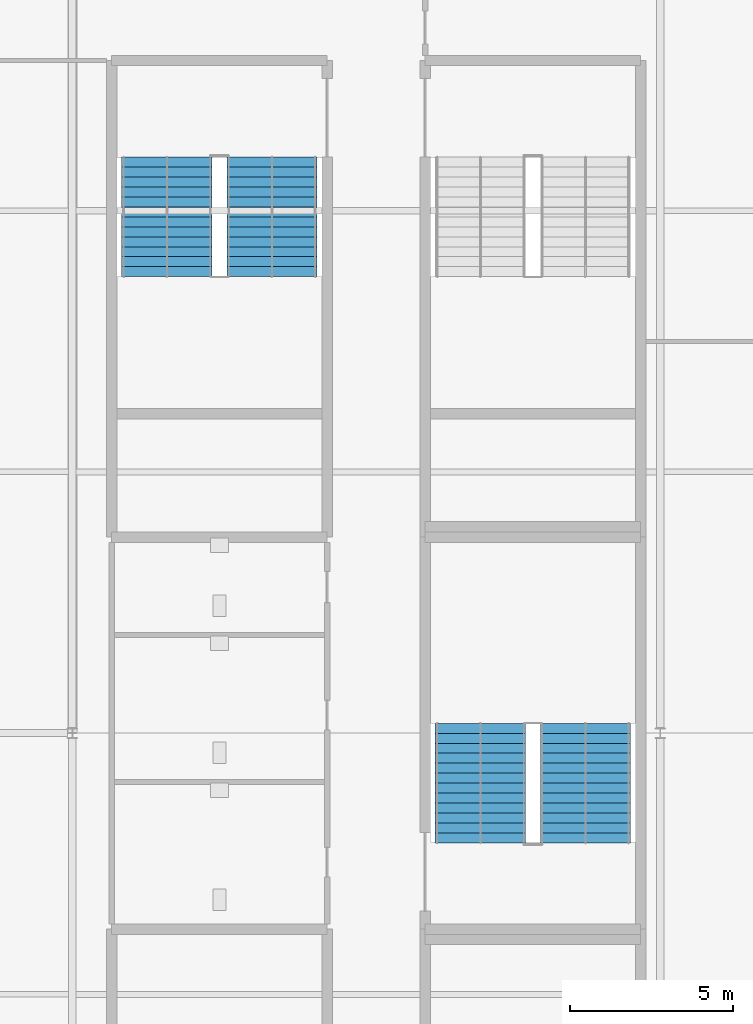
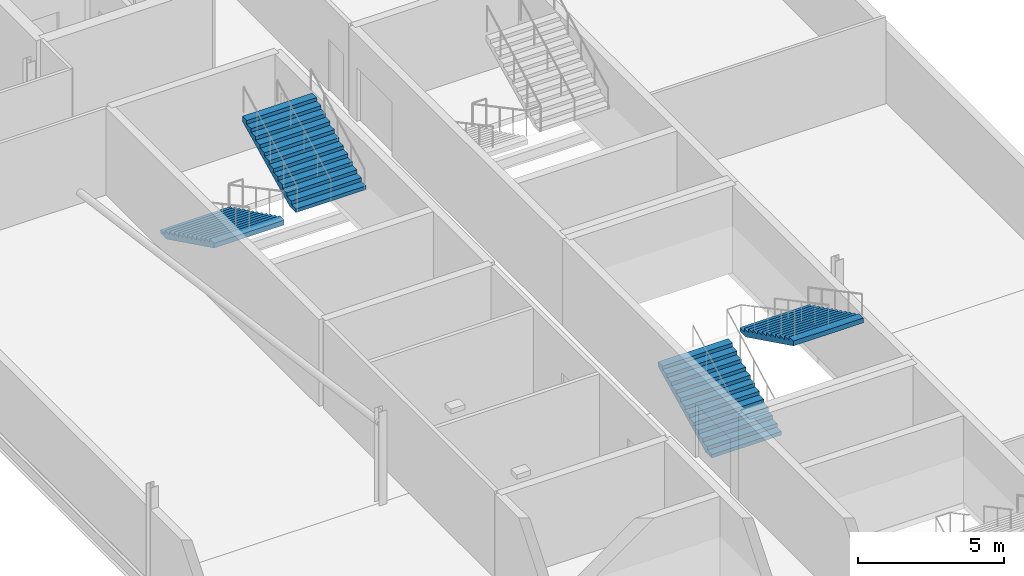
# One storey, part 23 of 31: 4 stair flights, 2 elements without a shape of their own.
"""IFC4 building model written with IfcOpenShell, lengths in metres."""

from ifc_helpers import new_model, si_unit, direction, frame, origin, place, context, subcontext, project, spatial, polygons, material, type_object, element, aggregate, save


model = new_model("IFC4")

# Units and contexts
model_context = context("Model", 3, precision=1e-05, world=origin(), true_north=direction((0.0, 1.0)))
body_context = subcontext(model_context, "Body", "Model", "MODEL_VIEW")
ifc_project = project(units=[si_unit("LENGTHUNIT", "METRE"), si_unit("AREAUNIT", "SQUARE_METRE"), si_unit("VOLUMEUNIT", "CUBIC_METRE"), si_unit("PLANEANGLEUNIT", "RADIAN"), si_unit("MASSUNIT", "GRAM", prefix="KILO")], contexts=[model_context])

# Site, building, storey
site_placement = place(None, origin())
site = spatial("IfcSite", under=ifc_project, at=site_placement, CompositionType="ELEMENT")
building_placement = place(site_placement, origin())
building = spatial("IfcBuilding", under=site, at=building_placement, Name="Kisiwana Market Hall", CompositionType="ELEMENT")
storey_placement = place(building_placement, frame((0.0, 0.0, 45.60009765625)))
storey = spatial("IfcBuildingStorey", under=building, at=storey_placement, Name="L10", CompositionType="ELEMENT", Elevation=45.60009765625)

# Stair, stair flights
ifc_material_1 = material(Name="Concrete C32/40", Category="concrete")
stair_type = type_object("IfcStairType", Name="ST-ESC-3900", PredefinedType="TWO_STRAIGHT_RUN_STAIR", material=ifc_material_1)
stair_1_placement = place(storey_placement, origin())
stair_1 = element("IfcStair", 1, at=stair_1_placement, inside=storey, type_object=stair_type, Name="Escape stair ST-W4-L10", PredefinedType="TWO_STRAIGHT_RUN_STAIR")
ifc_material_2 = material(Name="Concrete C32/40", Category="concrete")
stair_flight_type = type_object("IfcStairFlightType", Name="SF-ESC-3900", PredefinedType="STRAIGHT", material=ifc_material_2)
stair_flight_1_placement = place(storey_placement, frame((11.889892578125, 77.639892578125, 0.0), z_axis=(0.0, 0.0, 1.0), x_axis=(0.0, -1.0, 0.0)))
stair_flight_1 = element("IfcStairFlight", 2, at=stair_flight_1_placement, type_object=stair_flight_type, Name="ST-W4-L10 flight 1", NumberOfRisers=13, NumberOfTreads=12, PredefinedType="STRAIGHT", RiserHeight=0.15, TreadLength=0.305, context=body_context, shape_type="Tessellation", body=[
    polygons([(0.0, -1.380127, 0.0), (0.0, -0.690125, 0.0), (0.0, -0.000122, 0.0), (0.0, 0.68988, 0.0), (0.0, 1.379883, 0.0), (0.0, -1.380127, 0.149902), (0.0, -0.690125, 0.149902), (0.0, -0.000122, 0.149902), (0.0, 0.68988, 0.149902), (0.0, 1.379883, 0.149902), (0.304932, -1.380127, 0.149902), (0.304932, -0.690125, 0.149902), (0.304932, -0.000122, 0.149902), (0.304932, 0.68988, 0.149902), (0.304932, 1.379883, 0.149902), (0.304932, -1.380127, 0.300049), (0.304932, -0.690125, 0.300049), (0.304932, -0.000122, 0.300049), (0.304932, 0.68988, 0.300049), (0.304932, 1.379883, 0.300049), (0.610107, -1.380127, 0.300049), (0.610107, -0.690125, 0.300049), (0.610107, -0.000122, 0.300049), (0.610107, 0.68988, 0.300049), (0.610107, 1.379883, 0.300049), (0.610107, -1.380127, 0.449951), (0.610107, -0.690125, 0.449951), (0.610107, -0.000122, 0.449951), (0.610107, 0.68988, 0.449951), (0.610107, 1.379883, 0.449951), (0.915039, -1.380127, 0.449951), (0.915039, -0.690125, 0.449951), (0.915039, -0.000122, 0.449951), (0.915039, 0.68988, 0.449951), (0.915039, 1.379883, 0.449951), (0.915039, -1.380127, 0.600098), (0.915039, -0.690125, 0.600098), (0.915039, -0.000122, 0.600098), (0.915039, 0.68988, 0.600098), (0.915039, 1.379883, 0.600098), (1.219971, -1.380127, 0.600098), (1.219971, -0.690125, 0.600098), (1.219971, -0.000122, 0.600098), (1.219971, 0.68988, 0.600098), (1.219971, 1.379883, 0.600098), (1.219971, -1.380127, 0.75), (1.219971, -0.690125, 0.75), (1.219971, -0.000122, 0.75), (1.219971, 0.68988, 0.75), (1.219971, 1.379883, 0.75), (1.524902, -1.380127, 0.75), (1.524902, -0.690125, 0.75), (1.524902, -0.000122, 0.75), (1.524902, 0.68988, 0.75), (1.524902, 1.379883, 0.75), (1.524902, -1.380127, 0.899902), (1.524902, -0.690125, 0.899902), (1.524902, -0.000122, 0.899902), (1.524902, 0.68988, 0.899902), (1.524902, 1.379883, 0.899902), (1.830078, -1.380127, 0.899902), (1.830078, -0.690125, 0.899902), (1.830078, -0.000122, 0.899902), (1.830078, 0.68988, 0.899902), (1.830078, 1.379883, 0.899902), (1.830078, -1.380127, 1.050049), (1.830078, -0.690125, 1.050049), (1.830078, -0.000122, 1.050049), (1.830078, 0.68988, 1.050049), (1.830078, 1.379883, 1.050049), (2.13501, -1.380127, 1.050049), (2.13501, -0.690125, 1.050049), (2.13501, -0.000122, 1.050049), (2.13501, 0.68988, 1.050049), (2.13501, 1.379883, 1.050049), (2.13501, -1.380127, 1.199951), (2.13501, -0.690125, 1.199951), (2.13501, -0.000122, 1.199951), (2.13501, 0.68988, 1.199951), (2.13501, 1.379883, 1.199951), (2.439941, -1.380127, 1.199951), (2.439941, -0.690125, 1.199951), (2.439941, -0.000122, 1.199951), (2.439941, 0.68988, 1.199951), (2.439941, 1.379883, 1.199951), (2.439941, -1.380127, 1.350098), (2.439941, -0.690125, 1.350098), (2.439941, -0.000122, 1.350098), (2.439941, 0.68988, 1.350098), (2.439941, 1.379883, 1.350098), (2.745117, -1.380127, 1.350098), (2.745117, -0.690125, 1.350098), (2.745117, -0.000122, 1.350098), (2.745117, 0.68988, 1.350098), (2.745117, 1.379883, 1.350098), (2.745117, -1.380127, 1.5), (2.745117, -0.690125, 1.5), (2.745117, -0.000122, 1.5), (2.745117, 0.68988, 1.5), (2.745117, 1.379883, 1.5), (3.050049, -1.380127, 1.5), (3.050049, -0.690125, 1.5), (3.050049, -0.000122, 1.5), (3.050049, 0.68988, 1.5), (3.050049, 1.379883, 1.5), (3.050049, -1.380127, 1.649902), (3.050049, -0.690125, 1.649902), (3.050049, -0.000122, 1.649902), (3.050049, 0.68988, 1.649902), (3.050049, 1.379883, 1.649902), (3.35498, -1.380127, 1.649902), (3.35498, -0.690125, 1.649902), (3.35498, -0.000122, 1.649902), (3.35498, 0.68988, 1.649902), (3.35498, 1.379883, 1.649902), (3.35498, -1.380127, 1.800049), (3.35498, -0.690125, 1.800049), (3.35498, -0.000122, 1.800049), (3.35498, 0.68988, 1.800049), (3.35498, 1.379883, 1.800049), (3.659912, -1.380127, 1.800049), (3.659912, -0.690125, 1.800049), (3.659912, -0.000122, 1.800049), (3.659912, 0.68988, 1.800049), (3.659912, 1.379883, 1.800049), (3.659912, -1.380127, 1.599365), (3.659912, -0.690125, 1.599365), (3.659912, -0.000122, 1.599365), (3.659912, 0.68988, 1.599365), (3.659912, 1.379883, 1.599365), (0.407715, -1.380127, 0.0), (0.407715, -0.690125, 0.0), (0.407715, -0.000122, 0.0), (0.407715, 0.68988, 0.0), (0.407715, 1.379883, 0.0)], [[[1, 6, 7, 2]], [[2, 7, 8, 3]], [[3, 8, 9, 4]], [[4, 9, 10, 5]], [[6, 11, 12, 7]], [[7, 12, 13, 8]], [[8, 13, 14, 9]], [[9, 14, 15, 10]], [[11, 16, 17, 12]], [[12, 17, 18, 13]], [[13, 18, 19, 14]], [[14, 19, 20, 15]], [[16, 21, 22, 17]], [[17, 22, 23, 18]], [[18, 23, 24, 19]], [[19, 24, 25, 20]], [[21, 26, 27, 22]], [[22, 27, 28, 23]], [[23, 28, 29, 24]], [[24, 29, 30, 25]], [[26, 31, 32, 27]], [[27, 32, 33, 28]], [[28, 33, 34, 29]], [[29, 34, 35, 30]], [[31, 36, 37, 32]], [[32, 37, 38, 33]], [[33, 38, 39, 34]], [[34, 39, 40, 35]], [[36, 41, 42, 37]], [[37, 42, 43, 38]], [[38, 43, 44, 39]], [[39, 44, 45, 40]], [[41, 46, 47, 42]], [[42, 47, 48, 43]], [[43, 48, 49, 44]], [[44, 49, 50, 45]], [[46, 51, 52, 47]], [[47, 52, 53, 48]], [[48, 53, 54, 49]], [[49, 54, 55, 50]], [[51, 56, 57, 52]], [[52, 57, 58, 53]], [[53, 58, 59, 54]], [[54, 59, 60, 55]], [[56, 61, 62, 57]], [[57, 62, 63, 58]], [[58, 63, 64, 59]], [[59, 64, 65, 60]], [[61, 66, 67, 62]], [[62, 67, 68, 63]], [[63, 68, 69, 64]], [[64, 69, 70, 65]], [[66, 71, 72, 67]], [[67, 72, 73, 68]], [[68, 73, 74, 69]], [[69, 74, 75, 70]], [[71, 76, 77, 72]], [[72, 77, 78, 73]], [[73, 78, 79, 74]], [[74, 79, 80, 75]], [[76, 81, 82, 77]], [[77, 82, 83, 78]], [[78, 83, 84, 79]], [[79, 84, 85, 80]], [[81, 86, 87, 82]], [[82, 87, 88, 83]], [[83, 88, 89, 84]], [[84, 89, 90, 85]], [[86, 91, 92, 87]], [[87, 92, 93, 88]], [[88, 93, 94, 89]], [[89, 94, 95, 90]], [[91, 96, 97, 92]], [[92, 97, 98, 93]], [[93, 98, 99, 94]], [[94, 99, 100, 95]], [[96, 101, 102, 97]], [[97, 102, 103, 98]], [[98, 103, 104, 99]], [[99, 104, 105, 100]], [[101, 106, 107, 102]], [[102, 107, 108, 103]], [[103, 108, 109, 104]], [[104, 109, 110, 105]], [[106, 111, 112, 107]], [[107, 112, 113, 108]], [[108, 113, 114, 109]], [[109, 114, 115, 110]], [[111, 116, 117, 112]], [[112, 117, 118, 113]], [[113, 118, 119, 114]], [[114, 119, 120, 115]], [[116, 121, 122, 117]], [[117, 122, 123, 118]], [[118, 123, 124, 119]], [[119, 124, 125, 120]], [[121, 126, 127, 122]], [[122, 127, 128, 123]], [[123, 128, 129, 124]], [[124, 129, 130, 125]], [[126, 131, 132, 127]], [[127, 132, 133, 128]], [[128, 133, 134, 129]], [[129, 134, 135, 130]], [[131, 1, 2, 132]], [[132, 2, 3, 133]], [[133, 3, 4, 134]], [[134, 4, 5, 135]], [[131, 126, 121, 116, 111, 106, 101, 96, 91, 86, 81, 76, 71, 66, 61, 56, 51, 46, 41, 36, 31, 26, 21, 16, 11, 6, 1]], [[5, 10, 15, 20, 25, 30, 35, 40, 45, 50, 55, 60, 65, 70, 75, 80, 85, 90, 95, 100, 105, 110, 115, 120, 125, 130, 135]]], closed=True),
])
stair_flight_2_placement = place(storey_placement, frame((15.110107421875, 73.97998046875, 1.949951171875), z_axis=(0.0, 0.0, 1.0), x_axis=(0.0, 1.0, 0.0)))
stair_flight_2 = element("IfcStairFlight", 3, at=stair_flight_2_placement, type_object=stair_flight_type, Name="ST-W4-L10 flight 2", NumberOfRisers=13, NumberOfTreads=12, PredefinedType="STRAIGHT", RiserHeight=0.15, TreadLength=0.305, context=body_context, shape_type="Tessellation", body=[
    polygons([(0.0, -1.380127, 0.0), (0.0, -0.690125, 0.0), (0.0, -0.000122, 0.0), (0.0, 0.68988, 0.0), (0.0, 1.379883, 0.0), (0.0, -1.380127, 0.149902), (0.0, -0.690125, 0.149902), (0.0, -0.000122, 0.149902), (0.0, 0.68988, 0.149902), (0.0, 1.379883, 0.149902), (0.304932, -1.380127, 0.149902), (0.304932, -0.690125, 0.149902), (0.304932, -0.000122, 0.149902), (0.304932, 0.68988, 0.149902), (0.304932, 1.379883, 0.149902), (0.304932, -1.380127, 0.300049), (0.304932, -0.690125, 0.300049), (0.304932, -0.000122, 0.300049), (0.304932, 0.68988, 0.300049), (0.304932, 1.379883, 0.300049), (0.610107, -1.380127, 0.300049), (0.610107, -0.690125, 0.300049), (0.610107, -0.000122, 0.300049), (0.610107, 0.68988, 0.300049), (0.610107, 1.379883, 0.300049), (0.610107, -1.380127, 0.449951), (0.610107, -0.690125, 0.449951), (0.610107, -0.000122, 0.449951), (0.610107, 0.68988, 0.449951), (0.610107, 1.379883, 0.449951), (0.915039, -1.380127, 0.449951), (0.915039, -0.690125, 0.449951), (0.915039, -0.000122, 0.449951), (0.915039, 0.68988, 0.449951), (0.915039, 1.379883, 0.449951), (0.915039, -1.380127, 0.600098), (0.915039, -0.690125, 0.600098), (0.915039, -0.000122, 0.600098), (0.915039, 0.68988, 0.600098), (0.915039, 1.379883, 0.600098), (1.219971, -1.380127, 0.600098), (1.219971, -0.690125, 0.600098), (1.219971, -0.000122, 0.600098), (1.219971, 0.68988, 0.600098), (1.219971, 1.379883, 0.600098), (1.219971, -1.380127, 0.75), (1.219971, -0.690125, 0.75), (1.219971, -0.000122, 0.75), (1.219971, 0.68988, 0.75), (1.219971, 1.379883, 0.75), (1.524902, -1.380127, 0.75), (1.524902, -0.690125, 0.75), (1.524902, -0.000122, 0.75), (1.524902, 0.68988, 0.75), (1.524902, 1.379883, 0.75), (1.524902, -1.380127, 0.899902), (1.524902, -0.690125, 0.899902), (1.524902, -0.000122, 0.899902), (1.524902, 0.68988, 0.899902), (1.524902, 1.379883, 0.899902), (1.830078, -1.380127, 0.899902), (1.830078, -0.690125, 0.899902), (1.830078, -0.000122, 0.899902), (1.830078, 0.68988, 0.899902), (1.830078, 1.379883, 0.899902), (1.830078, -1.380127, 1.050049), (1.830078, -0.690125, 1.050049), (1.830078, -0.000122, 1.050049), (1.830078, 0.68988, 1.050049), (1.830078, 1.379883, 1.050049), (2.13501, -1.380127, 1.050049), (2.13501, -0.690125, 1.050049), (2.13501, -0.000122, 1.050049), (2.13501, 0.68988, 1.050049), (2.13501, 1.379883, 1.050049), (2.13501, -1.380127, 1.199951), (2.13501, -0.690125, 1.199951), (2.13501, -0.000122, 1.199951), (2.13501, 0.68988, 1.199951), (2.13501, 1.379883, 1.199951), (2.439941, -1.380127, 1.199951), (2.439941, -0.690125, 1.199951), (2.439941, -0.000122, 1.199951), (2.439941, 0.68988, 1.199951), (2.439941, 1.379883, 1.199951), (2.439941, -1.380127, 1.350098), (2.439941, -0.690125, 1.350098), (2.439941, -0.000122, 1.350098), (2.439941, 0.68988, 1.350098), (2.439941, 1.379883, 1.350098), (2.745117, -1.380127, 1.350098), (2.745117, -0.690125, 1.350098), (2.745117, -0.000122, 1.350098), (2.745117, 0.68988, 1.350098), (2.745117, 1.379883, 1.350098), (2.745117, -1.380127, 1.5), (2.745117, -0.690125, 1.5), (2.745117, -0.000122, 1.5), (2.745117, 0.68988, 1.5), (2.745117, 1.379883, 1.5), (3.050049, -1.380127, 1.5), (3.050049, -0.690125, 1.5), (3.050049, -0.000122, 1.5), (3.050049, 0.68988, 1.5), (3.050049, 1.379883, 1.5), (3.050049, -1.380127, 1.649902), (3.050049, -0.690125, 1.649902), (3.050049, -0.000122, 1.649902), (3.050049, 0.68988, 1.649902), (3.050049, 1.379883, 1.649902), (3.35498, -1.380127, 1.649902), (3.35498, -0.690125, 1.649902), (3.35498, -0.000122, 1.649902), (3.35498, 0.68988, 1.649902), (3.35498, 1.379883, 1.649902), (3.35498, -1.380127, 1.800049), (3.35498, -0.690125, 1.800049), (3.35498, -0.000122, 1.800049), (3.35498, 0.68988, 1.800049), (3.35498, 1.379883, 1.800049), (3.659912, -1.380127, 1.800049), (3.659912, -0.690125, 1.800049), (3.659912, -0.000122, 1.800049), (3.659912, 0.68988, 1.800049), (3.659912, 1.379883, 1.800049), (3.659912, -1.380127, 1.599365), (3.659912, -0.690125, 1.599365), (3.659912, -0.000122, 1.599365), (3.659912, 0.68988, 1.599365), (3.659912, 1.379883, 1.599365), (0.407715, -1.380127, 0.0), (0.407715, -0.690125, 0.0), (0.407715, -0.000122, 0.0), (0.407715, 0.68988, 0.0), (0.407715, 1.379883, 0.0)], [[[1, 6, 7, 2]], [[2, 7, 8, 3]], [[3, 8, 9, 4]], [[4, 9, 10, 5]], [[6, 11, 12, 7]], [[7, 12, 13, 8]], [[8, 13, 14, 9]], [[9, 14, 15, 10]], [[11, 16, 17, 12]], [[12, 17, 18, 13]], [[13, 18, 19, 14]], [[14, 19, 20, 15]], [[16, 21, 22, 17]], [[17, 22, 23, 18]], [[18, 23, 24, 19]], [[19, 24, 25, 20]], [[21, 26, 27, 22]], [[22, 27, 28, 23]], [[23, 28, 29, 24]], [[24, 29, 30, 25]], [[26, 31, 32, 27]], [[27, 32, 33, 28]], [[28, 33, 34, 29]], [[29, 34, 35, 30]], [[31, 36, 37, 32]], [[32, 37, 38, 33]], [[33, 38, 39, 34]], [[34, 39, 40, 35]], [[36, 41, 42, 37]], [[37, 42, 43, 38]], [[38, 43, 44, 39]], [[39, 44, 45, 40]], [[41, 46, 47, 42]], [[42, 47, 48, 43]], [[43, 48, 49, 44]], [[44, 49, 50, 45]], [[46, 51, 52, 47]], [[47, 52, 53, 48]], [[48, 53, 54, 49]], [[49, 54, 55, 50]], [[51, 56, 57, 52]], [[52, 57, 58, 53]], [[53, 58, 59, 54]], [[54, 59, 60, 55]], [[56, 61, 62, 57]], [[57, 62, 63, 58]], [[58, 63, 64, 59]], [[59, 64, 65, 60]], [[61, 66, 67, 62]], [[62, 67, 68, 63]], [[63, 68, 69, 64]], [[64, 69, 70, 65]], [[66, 71, 72, 67]], [[67, 72, 73, 68]], [[68, 73, 74, 69]], [[69, 74, 75, 70]], [[71, 76, 77, 72]], [[72, 77, 78, 73]], [[73, 78, 79, 74]], [[74, 79, 80, 75]], [[76, 81, 82, 77]], [[77, 82, 83, 78]], [[78, 83, 84, 79]], [[79, 84, 85, 80]], [[81, 86, 87, 82]], [[82, 87, 88, 83]], [[83, 88, 89, 84]], [[84, 89, 90, 85]], [[86, 91, 92, 87]], [[87, 92, 93, 88]], [[88, 93, 94, 89]], [[89, 94, 95, 90]], [[91, 96, 97, 92]], [[92, 97, 98, 93]], [[93, 98, 99, 94]], [[94, 99, 100, 95]], [[96, 101, 102, 97]], [[97, 102, 103, 98]], [[98, 103, 104, 99]], [[99, 104, 105, 100]], [[101, 106, 107, 102]], [[102, 107, 108, 103]], [[103, 108, 109, 104]], [[104, 109, 110, 105]], [[106, 111, 112, 107]], [[107, 112, 113, 108]], [[108, 113, 114, 109]], [[109, 114, 115, 110]], [[111, 116, 117, 112]], [[112, 117, 118, 113]], [[113, 118, 119, 114]], [[114, 119, 120, 115]], [[116, 121, 122, 117]], [[117, 122, 123, 118]], [[118, 123, 124, 119]], [[119, 124, 125, 120]], [[121, 126, 127, 122]], [[122, 127, 128, 123]], [[123, 128, 129, 124]], [[124, 129, 130, 125]], [[126, 131, 132, 127]], [[127, 132, 133, 128]], [[128, 133, 134, 129]], [[129, 134, 135, 130]], [[131, 1, 2, 132]], [[132, 2, 3, 133]], [[133, 3, 4, 134]], [[134, 4, 5, 135]], [[131, 126, 121, 116, 111, 106, 101, 96, 91, 86, 81, 76, 71, 66, 61, 56, 51, 46, 41, 36, 31, 26, 21, 16, 11, 6, 1]], [[5, 10, 15, 20, 25, 30, 35, 40, 45, 50, 55, 60, 65, 70, 75, 80, 85, 90, 95, 100, 105, 110, 115, 120, 125, 130, 135]]], closed=True),
])
aggregate(stair_1, [stair_flight_1, stair_flight_2])

stair_2_placement = place(storey_placement, origin())
stair_2 = element("IfcStair", 4, at=stair_2_placement, inside=storey, type_object=stair_type, Name="Escape stair ST-W5-L10", PredefinedType="TWO_STRAIGHT_RUN_STAIR")
stair_flight_3_placement = place(storey_placement, frame((21.489990234375, 56.639892578125, 0.0), z_axis=(0.0, 0.0, 1.0), x_axis=(0.0, 1.0, 0.0)))
stair_flight_3 = element("IfcStairFlight", 5, at=stair_flight_3_placement, type_object=stair_flight_type, Name="ST-W5-L10 flight 1", NumberOfRisers=13, NumberOfTreads=12, PredefinedType="STRAIGHT", RiserHeight=0.15, TreadLength=0.305, context=body_context, shape_type="Tessellation", body=[
    polygons([(0.0, -1.380127, 0.0), (0.0, -0.690125, 0.0), (0.0, -0.000122, 0.0), (0.0, 0.68988, 0.0), (0.0, 1.379883, 0.0), (0.0, -1.380127, 0.149902), (0.0, -0.690125, 0.149902), (0.0, -0.000122, 0.149902), (0.0, 0.68988, 0.149902), (0.0, 1.379883, 0.149902), (0.304932, -1.380127, 0.149902), (0.304932, -0.690125, 0.149902), (0.304932, -0.000122, 0.149902), (0.304932, 0.68988, 0.149902), (0.304932, 1.379883, 0.149902), (0.304932, -1.380127, 0.300049), (0.304932, -0.690125, 0.300049), (0.304932, -0.000122, 0.300049), (0.304932, 0.68988, 0.300049), (0.304932, 1.379883, 0.300049), (0.610107, -1.380127, 0.300049), (0.610107, -0.690125, 0.300049), (0.610107, -0.000122, 0.300049), (0.610107, 0.68988, 0.300049), (0.610107, 1.379883, 0.300049), (0.610107, -1.380127, 0.449951), (0.610107, -0.690125, 0.449951), (0.610107, -0.000122, 0.449951), (0.610107, 0.68988, 0.449951), (0.610107, 1.379883, 0.449951), (0.915039, -1.380127, 0.449951), (0.915039, -0.690125, 0.449951), (0.915039, -0.000122, 0.449951), (0.915039, 0.68988, 0.449951), (0.915039, 1.379883, 0.449951), (0.915039, -1.380127, 0.600098), (0.915039, -0.690125, 0.600098), (0.915039, -0.000122, 0.600098), (0.915039, 0.68988, 0.600098), (0.915039, 1.379883, 0.600098), (1.219971, -1.380127, 0.600098), (1.219971, -0.690125, 0.600098), (1.219971, -0.000122, 0.600098), (1.219971, 0.68988, 0.600098), (1.219971, 1.379883, 0.600098), (1.219971, -1.380127, 0.75), (1.219971, -0.690125, 0.75), (1.219971, -0.000122, 0.75), (1.219971, 0.68988, 0.75), (1.219971, 1.379883, 0.75), (1.524902, -1.380127, 0.75), (1.524902, -0.690125, 0.75), (1.524902, -0.000122, 0.75), (1.524902, 0.68988, 0.75), (1.524902, 1.379883, 0.75), (1.524902, -1.380127, 0.899902), (1.524902, -0.690125, 0.899902), (1.524902, -0.000122, 0.899902), (1.524902, 0.68988, 0.899902), (1.524902, 1.379883, 0.899902), (1.830078, -1.380127, 0.899902), (1.830078, -0.690125, 0.899902), (1.830078, -0.000122, 0.899902), (1.830078, 0.68988, 0.899902), (1.830078, 1.379883, 0.899902), (1.830078, -1.380127, 1.050049), (1.830078, -0.690125, 1.050049), (1.830078, -0.000122, 1.050049), (1.830078, 0.68988, 1.050049), (1.830078, 1.379883, 1.050049), (2.13501, -1.380127, 1.050049), (2.13501, -0.690125, 1.050049), (2.13501, -0.000122, 1.050049), (2.13501, 0.68988, 1.050049), (2.13501, 1.379883, 1.050049), (2.13501, -1.380127, 1.199951), (2.13501, -0.690125, 1.199951), (2.13501, -0.000122, 1.199951), (2.13501, 0.68988, 1.199951), (2.13501, 1.379883, 1.199951), (2.439941, -1.380127, 1.199951), (2.439941, -0.690125, 1.199951), (2.439941, -0.000122, 1.199951), (2.439941, 0.68988, 1.199951), (2.439941, 1.379883, 1.199951), (2.439941, -1.380127, 1.350098), (2.439941, -0.690125, 1.350098), (2.439941, -0.000122, 1.350098), (2.439941, 0.68988, 1.350098), (2.439941, 1.379883, 1.350098), (2.745117, -1.380127, 1.350098), (2.745117, -0.690125, 1.350098), (2.745117, -0.000122, 1.350098), (2.745117, 0.68988, 1.350098), (2.745117, 1.379883, 1.350098), (2.745117, -1.380127, 1.5), (2.745117, -0.690125, 1.5), (2.745117, -0.000122, 1.5), (2.745117, 0.68988, 1.5), (2.745117, 1.379883, 1.5), (3.050049, -1.380127, 1.5), (3.050049, -0.690125, 1.5), (3.050049, -0.000122, 1.5), (3.050049, 0.68988, 1.5), (3.050049, 1.379883, 1.5), (3.050049, -1.380127, 1.649902), (3.050049, -0.690125, 1.649902), (3.050049, -0.000122, 1.649902), (3.050049, 0.68988, 1.649902), (3.050049, 1.379883, 1.649902), (3.35498, -1.380127, 1.649902), (3.35498, -0.690125, 1.649902), (3.35498, -0.000122, 1.649902), (3.35498, 0.68988, 1.649902), (3.35498, 1.379883, 1.649902), (3.35498, -1.380127, 1.800049), (3.35498, -0.690125, 1.800049), (3.35498, -0.000122, 1.800049), (3.35498, 0.68988, 1.800049), (3.35498, 1.379883, 1.800049), (3.659912, -1.380127, 1.800049), (3.659912, -0.690125, 1.800049), (3.659912, -0.000122, 1.800049), (3.659912, 0.68988, 1.800049), (3.659912, 1.379883, 1.800049), (3.659912, -1.380127, 1.599365), (3.659912, -0.690125, 1.599365), (3.659912, -0.000122, 1.599365), (3.659912, 0.68988, 1.599365), (3.659912, 1.379883, 1.599365), (0.407715, -1.380127, 0.0), (0.407715, -0.690125, 0.0), (0.407715, -0.000122, 0.0), (0.407715, 0.68988, 0.0), (0.407715, 1.379883, 0.0)], [[[1, 6, 7, 2]], [[2, 7, 8, 3]], [[3, 8, 9, 4]], [[4, 9, 10, 5]], [[6, 11, 12, 7]], [[7, 12, 13, 8]], [[8, 13, 14, 9]], [[9, 14, 15, 10]], [[11, 16, 17, 12]], [[12, 17, 18, 13]], [[13, 18, 19, 14]], [[14, 19, 20, 15]], [[16, 21, 22, 17]], [[17, 22, 23, 18]], [[18, 23, 24, 19]], [[19, 24, 25, 20]], [[21, 26, 27, 22]], [[22, 27, 28, 23]], [[23, 28, 29, 24]], [[24, 29, 30, 25]], [[26, 31, 32, 27]], [[27, 32, 33, 28]], [[28, 33, 34, 29]], [[29, 34, 35, 30]], [[31, 36, 37, 32]], [[32, 37, 38, 33]], [[33, 38, 39, 34]], [[34, 39, 40, 35]], [[36, 41, 42, 37]], [[37, 42, 43, 38]], [[38, 43, 44, 39]], [[39, 44, 45, 40]], [[41, 46, 47, 42]], [[42, 47, 48, 43]], [[43, 48, 49, 44]], [[44, 49, 50, 45]], [[46, 51, 52, 47]], [[47, 52, 53, 48]], [[48, 53, 54, 49]], [[49, 54, 55, 50]], [[51, 56, 57, 52]], [[52, 57, 58, 53]], [[53, 58, 59, 54]], [[54, 59, 60, 55]], [[56, 61, 62, 57]], [[57, 62, 63, 58]], [[58, 63, 64, 59]], [[59, 64, 65, 60]], [[61, 66, 67, 62]], [[62, 67, 68, 63]], [[63, 68, 69, 64]], [[64, 69, 70, 65]], [[66, 71, 72, 67]], [[67, 72, 73, 68]], [[68, 73, 74, 69]], [[69, 74, 75, 70]], [[71, 76, 77, 72]], [[72, 77, 78, 73]], [[73, 78, 79, 74]], [[74, 79, 80, 75]], [[76, 81, 82, 77]], [[77, 82, 83, 78]], [[78, 83, 84, 79]], [[79, 84, 85, 80]], [[81, 86, 87, 82]], [[82, 87, 88, 83]], [[83, 88, 89, 84]], [[84, 89, 90, 85]], [[86, 91, 92, 87]], [[87, 92, 93, 88]], [[88, 93, 94, 89]], [[89, 94, 95, 90]], [[91, 96, 97, 92]], [[92, 97, 98, 93]], [[93, 98, 99, 94]], [[94, 99, 100, 95]], [[96, 101, 102, 97]], [[97, 102, 103, 98]], [[98, 103, 104, 99]], [[99, 104, 105, 100]], [[101, 106, 107, 102]], [[102, 107, 108, 103]], [[103, 108, 109, 104]], [[104, 109, 110, 105]], [[106, 111, 112, 107]], [[107, 112, 113, 108]], [[108, 113, 114, 109]], [[109, 114, 115, 110]], [[111, 116, 117, 112]], [[112, 117, 118, 113]], [[113, 118, 119, 114]], [[114, 119, 120, 115]], [[116, 121, 122, 117]], [[117, 122, 123, 118]], [[118, 123, 124, 119]], [[119, 124, 125, 120]], [[121, 126, 127, 122]], [[122, 127, 128, 123]], [[123, 128, 129, 124]], [[124, 129, 130, 125]], [[126, 131, 132, 127]], [[127, 132, 133, 128]], [[128, 133, 134, 129]], [[129, 134, 135, 130]], [[131, 1, 2, 132]], [[132, 2, 3, 133]], [[133, 3, 4, 134]], [[134, 4, 5, 135]], [[131, 126, 121, 116, 111, 106, 101, 96, 91, 86, 81, 76, 71, 66, 61, 56, 51, 46, 41, 36, 31, 26, 21, 16, 11, 6, 1]], [[5, 10, 15, 20, 25, 30, 35, 40, 45, 50, 55, 60, 65, 70, 75, 80, 85, 90, 95, 100, 105, 110, 115, 120, 125, 130, 135]]], closed=True),
])
stair_flight_4_placement = place(storey_placement, frame((24.7099609375, 60.300048828125, 1.949951171875), z_axis=(0.0, 0.0, 1.0), x_axis=(0.0, -1.0, 0.0)))
stair_flight_4 = element("IfcStairFlight", 6, at=stair_flight_4_placement, type_object=stair_flight_type, Name="ST-W5-L10 flight 2", NumberOfRisers=13, NumberOfTreads=12, PredefinedType="STRAIGHT", RiserHeight=0.15, TreadLength=0.305, context=body_context, shape_type="Tessellation", body=[
    polygons([(0.0, -1.380127, 0.0), (0.0, -0.690125, 0.0), (0.0, -0.000122, 0.0), (0.0, 0.68988, 0.0), (0.0, 1.379883, 0.0), (0.0, -1.380127, 0.149902), (0.0, -0.690125, 0.149902), (0.0, -0.000122, 0.149902), (0.0, 0.68988, 0.149902), (0.0, 1.379883, 0.149902), (0.304932, -1.380127, 0.149902), (0.304932, -0.690125, 0.149902), (0.304932, -0.000122, 0.149902), (0.304932, 0.68988, 0.149902), (0.304932, 1.379883, 0.149902), (0.304932, -1.380127, 0.300049), (0.304932, -0.690125, 0.300049), (0.304932, -0.000122, 0.300049), (0.304932, 0.68988, 0.300049), (0.304932, 1.379883, 0.300049), (0.610107, -1.380127, 0.300049), (0.610107, -0.690125, 0.300049), (0.610107, -0.000122, 0.300049), (0.610107, 0.68988, 0.300049), (0.610107, 1.379883, 0.300049), (0.610107, -1.380127, 0.449951), (0.610107, -0.690125, 0.449951), (0.610107, -0.000122, 0.449951), (0.610107, 0.68988, 0.449951), (0.610107, 1.379883, 0.449951), (0.915039, -1.380127, 0.449951), (0.915039, -0.690125, 0.449951), (0.915039, -0.000122, 0.449951), (0.915039, 0.68988, 0.449951), (0.915039, 1.379883, 0.449951), (0.915039, -1.380127, 0.600098), (0.915039, -0.690125, 0.600098), (0.915039, -0.000122, 0.600098), (0.915039, 0.68988, 0.600098), (0.915039, 1.379883, 0.600098), (1.219971, -1.380127, 0.600098), (1.219971, -0.690125, 0.600098), (1.219971, -0.000122, 0.600098), (1.219971, 0.68988, 0.600098), (1.219971, 1.379883, 0.600098), (1.219971, -1.380127, 0.75), (1.219971, -0.690125, 0.75), (1.219971, -0.000122, 0.75), (1.219971, 0.68988, 0.75), (1.219971, 1.379883, 0.75), (1.524902, -1.380127, 0.75), (1.524902, -0.690125, 0.75), (1.524902, -0.000122, 0.75), (1.524902, 0.68988, 0.75), (1.524902, 1.379883, 0.75), (1.524902, -1.380127, 0.899902), (1.524902, -0.690125, 0.899902), (1.524902, -0.000122, 0.899902), (1.524902, 0.68988, 0.899902), (1.524902, 1.379883, 0.899902), (1.830078, -1.380127, 0.899902), (1.830078, -0.690125, 0.899902), (1.830078, -0.000122, 0.899902), (1.830078, 0.68988, 0.899902), (1.830078, 1.379883, 0.899902), (1.830078, -1.380127, 1.050049), (1.830078, -0.690125, 1.050049), (1.830078, -0.000122, 1.050049), (1.830078, 0.68988, 1.050049), (1.830078, 1.379883, 1.050049), (2.13501, -1.380127, 1.050049), (2.13501, -0.690125, 1.050049), (2.13501, -0.000122, 1.050049), (2.13501, 0.68988, 1.050049), (2.13501, 1.379883, 1.050049), (2.13501, -1.380127, 1.199951), (2.13501, -0.690125, 1.199951), (2.13501, -0.000122, 1.199951), (2.13501, 0.68988, 1.199951), (2.13501, 1.379883, 1.199951), (2.439941, -1.380127, 1.199951), (2.439941, -0.690125, 1.199951), (2.439941, -0.000122, 1.199951), (2.439941, 0.68988, 1.199951), (2.439941, 1.379883, 1.199951), (2.439941, -1.380127, 1.350098), (2.439941, -0.690125, 1.350098), (2.439941, -0.000122, 1.350098), (2.439941, 0.68988, 1.350098), (2.439941, 1.379883, 1.350098), (2.745117, -1.380127, 1.350098), (2.745117, -0.690125, 1.350098), (2.745117, -0.000122, 1.350098), (2.745117, 0.68988, 1.350098), (2.745117, 1.379883, 1.350098), (2.745117, -1.380127, 1.5), (2.745117, -0.690125, 1.5), (2.745117, -0.000122, 1.5), (2.745117, 0.68988, 1.5), (2.745117, 1.379883, 1.5), (3.050049, -1.380127, 1.5), (3.050049, -0.690125, 1.5), (3.050049, -0.000122, 1.5), (3.050049, 0.68988, 1.5), (3.050049, 1.379883, 1.5), (3.050049, -1.380127, 1.649902), (3.050049, -0.690125, 1.649902), (3.050049, -0.000122, 1.649902), (3.050049, 0.68988, 1.649902), (3.050049, 1.379883, 1.649902), (3.35498, -1.380127, 1.649902), (3.35498, -0.690125, 1.649902), (3.35498, -0.000122, 1.649902), (3.35498, 0.68988, 1.649902), (3.35498, 1.379883, 1.649902), (3.35498, -1.380127, 1.800049), (3.35498, -0.690125, 1.800049), (3.35498, -0.000122, 1.800049), (3.35498, 0.68988, 1.800049), (3.35498, 1.379883, 1.800049), (3.659912, -1.380127, 1.800049), (3.659912, -0.690125, 1.800049), (3.659912, -0.000122, 1.800049), (3.659912, 0.68988, 1.800049), (3.659912, 1.379883, 1.800049), (3.659912, -1.380127, 1.599365), (3.659912, -0.690125, 1.599365), (3.659912, -0.000122, 1.599365), (3.659912, 0.68988, 1.599365), (3.659912, 1.379883, 1.599365), (0.407715, -1.380127, 0.0), (0.407715, -0.690125, 0.0), (0.407715, -0.000122, 0.0), (0.407715, 0.68988, 0.0), (0.407715, 1.379883, 0.0)], [[[1, 6, 7, 2]], [[2, 7, 8, 3]], [[3, 8, 9, 4]], [[4, 9, 10, 5]], [[6, 11, 12, 7]], [[7, 12, 13, 8]], [[8, 13, 14, 9]], [[9, 14, 15, 10]], [[11, 16, 17, 12]], [[12, 17, 18, 13]], [[13, 18, 19, 14]], [[14, 19, 20, 15]], [[16, 21, 22, 17]], [[17, 22, 23, 18]], [[18, 23, 24, 19]], [[19, 24, 25, 20]], [[21, 26, 27, 22]], [[22, 27, 28, 23]], [[23, 28, 29, 24]], [[24, 29, 30, 25]], [[26, 31, 32, 27]], [[27, 32, 33, 28]], [[28, 33, 34, 29]], [[29, 34, 35, 30]], [[31, 36, 37, 32]], [[32, 37, 38, 33]], [[33, 38, 39, 34]], [[34, 39, 40, 35]], [[36, 41, 42, 37]], [[37, 42, 43, 38]], [[38, 43, 44, 39]], [[39, 44, 45, 40]], [[41, 46, 47, 42]], [[42, 47, 48, 43]], [[43, 48, 49, 44]], [[44, 49, 50, 45]], [[46, 51, 52, 47]], [[47, 52, 53, 48]], [[48, 53, 54, 49]], [[49, 54, 55, 50]], [[51, 56, 57, 52]], [[52, 57, 58, 53]], [[53, 58, 59, 54]], [[54, 59, 60, 55]], [[56, 61, 62, 57]], [[57, 62, 63, 58]], [[58, 63, 64, 59]], [[59, 64, 65, 60]], [[61, 66, 67, 62]], [[62, 67, 68, 63]], [[63, 68, 69, 64]], [[64, 69, 70, 65]], [[66, 71, 72, 67]], [[67, 72, 73, 68]], [[68, 73, 74, 69]], [[69, 74, 75, 70]], [[71, 76, 77, 72]], [[72, 77, 78, 73]], [[73, 78, 79, 74]], [[74, 79, 80, 75]], [[76, 81, 82, 77]], [[77, 82, 83, 78]], [[78, 83, 84, 79]], [[79, 84, 85, 80]], [[81, 86, 87, 82]], [[82, 87, 88, 83]], [[83, 88, 89, 84]], [[84, 89, 90, 85]], [[86, 91, 92, 87]], [[87, 92, 93, 88]], [[88, 93, 94, 89]], [[89, 94, 95, 90]], [[91, 96, 97, 92]], [[92, 97, 98, 93]], [[93, 98, 99, 94]], [[94, 99, 100, 95]], [[96, 101, 102, 97]], [[97, 102, 103, 98]], [[98, 103, 104, 99]], [[99, 104, 105, 100]], [[101, 106, 107, 102]], [[102, 107, 108, 103]], [[103, 108, 109, 104]], [[104, 109, 110, 105]], [[106, 111, 112, 107]], [[107, 112, 113, 108]], [[108, 113, 114, 109]], [[109, 114, 115, 110]], [[111, 116, 117, 112]], [[112, 117, 118, 113]], [[113, 118, 119, 114]], [[114, 119, 120, 115]], [[116, 121, 122, 117]], [[117, 122, 123, 118]], [[118, 123, 124, 119]], [[119, 124, 125, 120]], [[121, 126, 127, 122]], [[122, 127, 128, 123]], [[123, 128, 129, 124]], [[124, 129, 130, 125]], [[126, 131, 132, 127]], [[127, 132, 133, 128]], [[128, 133, 134, 129]], [[129, 134, 135, 130]], [[131, 1, 2, 132]], [[132, 2, 3, 133]], [[133, 3, 4, 134]], [[134, 4, 5, 135]], [[131, 126, 121, 116, 111, 106, 101, 96, 91, 86, 81, 76, 71, 66, 61, 56, 51, 46, 41, 36, 31, 26, 21, 16, 11, 6, 1]], [[5, 10, 15, 20, 25, 30, 35, 40, 45, 50, 55, 60, 65, 70, 75, 80, 85, 90, 95, 100, 105, 110, 115, 120, 125, 130, 135]]], closed=True),
])
aggregate(stair_2, [stair_flight_3, stair_flight_4])

save(model, "model.ifc")
